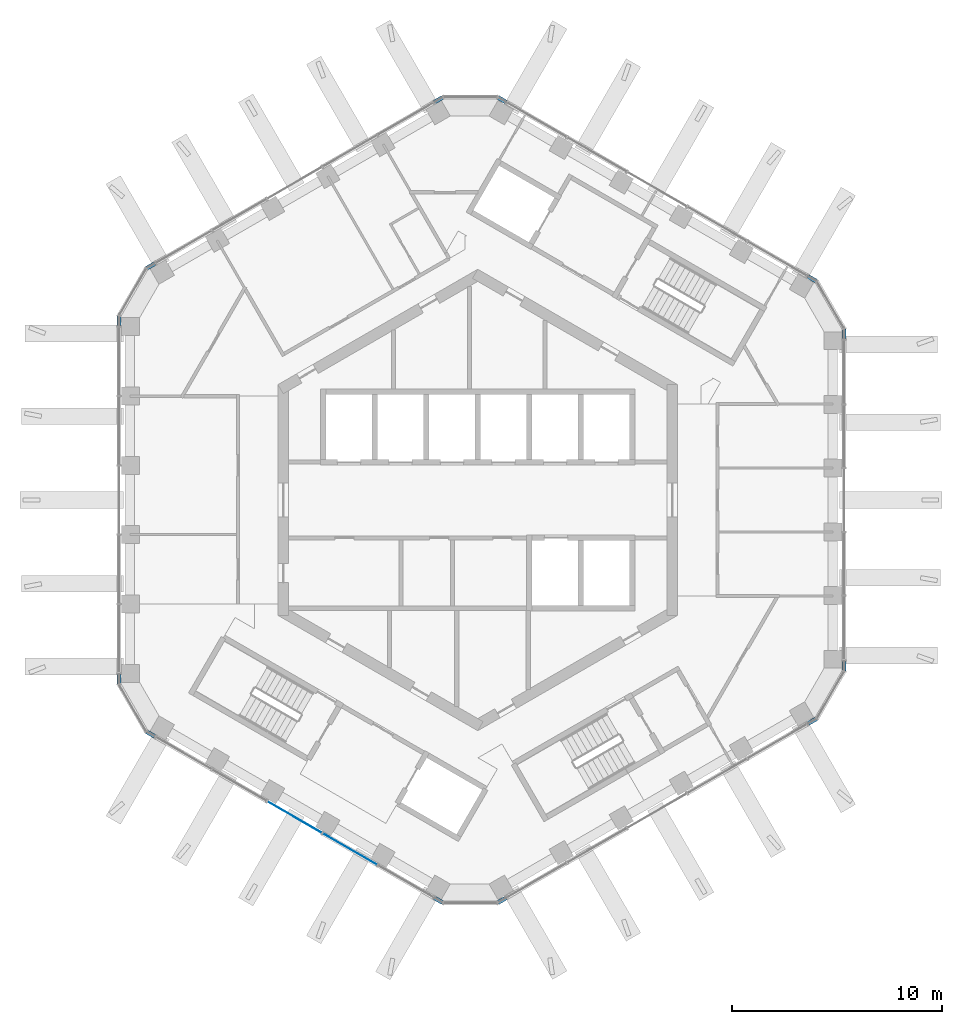
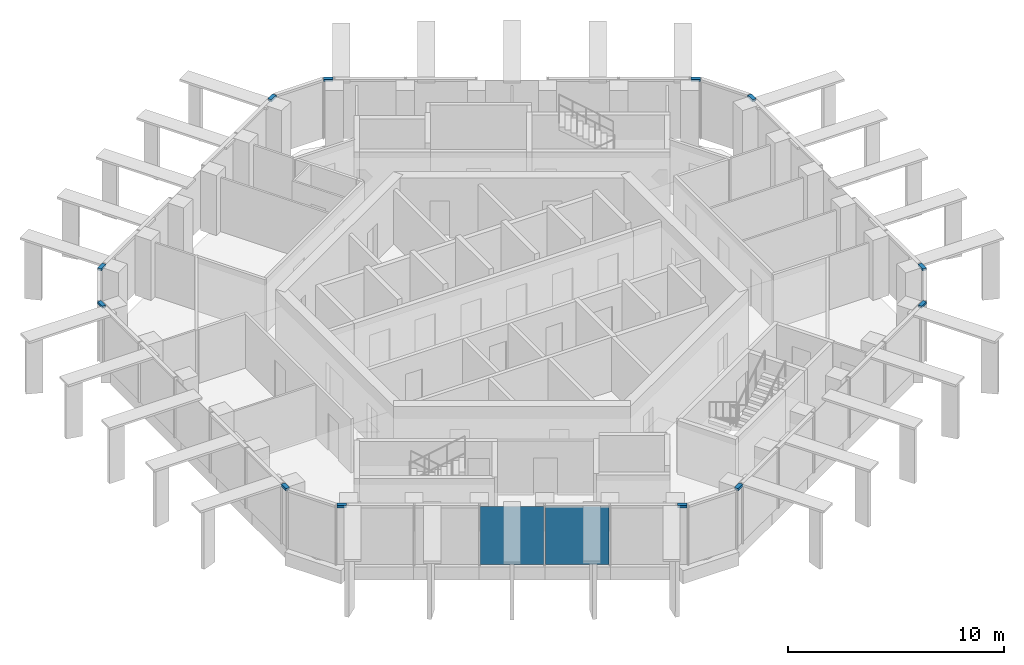
# One storey, part 6 of 18: 12 members, 2 plates, 7 elements without a shape of their own.
"""IFC4 building model written with IfcOpenShell, lengths in metres."""

from ifc_helpers import new_model, si_unit, direction, frame, origin, origin_2d, place, context, subcontext, project, spatial, rectangle, extrude, material, layer, layer_set, material_profile, profile_set, type_object, element, aggregate, save


model = new_model("IFC4")

# Units and contexts
model_context = context("Model", 3, precision=1e-05, world=origin(), true_north=direction((0.0, 1.0)))
body_context = subcontext(model_context, "Body", "Model", "MODEL_VIEW")
ifc_project = project(units=[si_unit("LENGTHUNIT", "METRE"), si_unit("AREAUNIT", "SQUARE_METRE"), si_unit("VOLUMEUNIT", "CUBIC_METRE"), si_unit("PLANEANGLEUNIT", "RADIAN"), si_unit("MASSUNIT", "GRAM", prefix="KILO")], contexts=[model_context])

# Site, building, storey
site_placement = place(None, origin())
site = spatial("IfcSite", under=ifc_project, at=site_placement, CompositionType="ELEMENT")
building_placement = place(site_placement, origin())
building = spatial("IfcBuilding", under=site, at=building_placement, Name="Ayvan Gate Tower", CompositionType="ELEMENT")
storey_placement = place(building_placement, frame((0.0, 0.0, 239.300048828125)))
storey = spatial("IfcBuildingStorey", under=building, at=storey_placement, Name="L64", CompositionType="ELEMENT", Elevation=239.300048828125)

# Curtain wall, members
ifc_material_1 = material(Name="Bronze anodised aluminium", Category="aluminium")
ifc_layer_1 = layer(ifc_material_1, 0.199951171875)
ifc_layer_set_1 = layer_set([ifc_layer_1], Name="Bronze anodised aluminium")
curtain_wall_type_1 = type_object("IfcCurtainWallType", Name="Stick curtain wall CW-6", PredefinedType="NOTDEFINED", material=ifc_layer_set_1)
curtain_wall_1_placement = place(storey_placement, origin())
curtain_wall_1 = element("IfcCurtainWall", 1, at=curtain_wall_1_placement, inside=storey, type_object=curtain_wall_type_1, Name="Stick curtain wall CW-6 L64", PredefinedType="NOTDEFINED")
ifc_material_profile = material_profile(ifc_material_1, rectangle(XDim=0.199951171875, YDim=0.1201171875, at=origin_2d()), Name="Stick curtain wall CW-6 transom 200 x 120")
ifc_profile_set = profile_set([ifc_material_profile], Name="Bronze anodised aluminium")
member_type = type_object("IfcMemberType", Name="Stick curtain wall CW-6 transom 200 x 120", PredefinedType="USERDEFINED", material=ifc_profile_set)
member_1_placement = place(storey_placement, frame((-15.353759765625, 11.24169921875, 3.33984375), z_axis=(-0.865896406789, -0.500223362819, 0.0), x_axis=(0.500223362819, -0.865896406789, 0.0)))
member_1 = element("IfcMember", 2, at=member_1_placement, type_object=member_type, Name="CW-6 transom 1", ObjectType="TRANSOM", PredefinedType="USERDEFINED", context=body_context, shape_type="SweptSolid", body=[
    extrude(rectangle(XDim=0.199951171875, YDim=0.1201171875, at=origin_2d()), origin(), (0.0, 0.0, 1.0), 0.449951171875),
])
member_2_placement = place(storey_placement, frame((-17.056396484375, 8.74267578125, 3.33984375), z_axis=(0.0, -1.0, 0.0), x_axis=(1.0, 0.0, 0.0)))
member_2 = element("IfcMember", 3, at=member_2_placement, type_object=member_type, Name="CW-6 transom 3", ObjectType="TRANSOM", PredefinedType="USERDEFINED", context=body_context, shape_type="SweptSolid", body=[
    extrude(rectangle(XDim=0.199951171875, YDim=0.1201171875, at=origin_2d()), origin(), (0.0, 0.0, 1.0), 0.449951171875),
])
aggregate(curtain_wall_1, [member_1, member_2])

curtain_wall_2_placement = place(storey_placement, origin())
curtain_wall_2 = element("IfcCurtainWall", 4, at=curtain_wall_2_placement, inside=storey, type_object=curtain_wall_type_1, Name="Stick curtain wall CW-6 L64", PredefinedType="NOTDEFINED")
member_3_placement = place(storey_placement, frame((-17.056396484375, -8.292724609375, 3.33984375), z_axis=(0.0, -1.0, 0.0), x_axis=(1.0, 0.0, 0.0)))
member_3 = element("IfcMember", 5, at=member_3_placement, type_object=member_type, Name="CW-6 transom 1", ObjectType="TRANSOM", PredefinedType="USERDEFINED", context=body_context, shape_type="SweptSolid", body=[
    extrude(rectangle(XDim=0.199951171875, YDim=0.1201171875, at=origin_2d()), origin(), (0.0, 0.0, 1.0), 0.449951171875),
])
member_4_placement = place(storey_placement, frame((-15.743408203125, -11.0166015625, 3.33984375), z_axis=(0.865896406789, -0.500223362819, 0.0), x_axis=(0.500223362819, 0.865896406789, 0.0)))
member_4 = element("IfcMember", 6, at=member_4_placement, type_object=member_type, Name="CW-6 transom 3", ObjectType="TRANSOM", PredefinedType="USERDEFINED", context=body_context, shape_type="SweptSolid", body=[
    extrude(rectangle(XDim=0.199951171875, YDim=0.1201171875, at=origin_2d()), origin(), (0.0, 0.0, 1.0), 0.449951171875),
])
aggregate(curtain_wall_2, [member_3, member_4])

curtain_wall_3_placement = place(storey_placement, origin())
curtain_wall_3 = element("IfcCurtainWall", 7, at=curtain_wall_3_placement, inside=storey, type_object=curtain_wall_type_1, Name="Stick curtain wall CW-6 L64", PredefinedType="NOTDEFINED")
member_5_placement = place(storey_placement, frame((-2.058837890625, -18.917724609375, 3.33984375), z_axis=(0.866266849364, -0.49958157061, 0.0), x_axis=(0.49958157061, 0.866266849364, 0.0)))
member_5 = element("IfcMember", 8, at=member_5_placement, type_object=member_type, Name="CW-6 transom 1", ObjectType="TRANSOM", PredefinedType="USERDEFINED", context=body_context, shape_type="SweptSolid", body=[
    extrude(rectangle(XDim=0.199951171875, YDim=0.1201171875, at=origin_2d()), origin(), (0.0, 0.0, 1.0), 0.4501953125),
])
member_6_placement = place(storey_placement, frame((0.956787109375, -19.142578125, 3.33984375), z_axis=(0.866266849364, 0.49958157061, 0.0), x_axis=(-0.49958157061, 0.866266849364, 0.0)))
member_6 = element("IfcMember", 9, at=member_6_placement, type_object=member_type, Name="CW-6 transom 3", ObjectType="TRANSOM", PredefinedType="USERDEFINED", context=body_context, shape_type="SweptSolid", body=[
    extrude(rectangle(XDim=0.199951171875, YDim=0.1201171875, at=origin_2d()), origin(), (0.0, 0.0, 1.0), 0.4501953125),
])
aggregate(curtain_wall_3, [member_5, member_6])

curtain_wall_4_placement = place(storey_placement, origin())
curtain_wall_4 = element("IfcCurtainWall", 10, at=curtain_wall_4_placement, inside=storey, type_object=curtain_wall_type_1, Name="Stick curtain wall CW-6 L64", PredefinedType="NOTDEFINED")
member_7_placement = place(storey_placement, frame((15.7099609375, -10.625, 3.33984375), z_axis=(0.865896406789, 0.500223362819, 0.0), x_axis=(-0.500223362819, 0.865896406789, 0.0)))
member_7 = element("IfcMember", 11, at=member_7_placement, type_object=member_type, Name="CW-6 transom 1", ObjectType="TRANSOM", PredefinedType="USERDEFINED", context=body_context, shape_type="SweptSolid", body=[
    extrude(rectangle(XDim=0.199951171875, YDim=0.1201171875, at=origin_2d()), origin(), (0.0, 0.0, 1.0), 0.449951171875),
])
member_8_placement = place(storey_placement, frame((17.41259765625, -8.1259765625, 3.33984375), z_axis=(0.0, 1.0, 0.0), x_axis=(-1.0, 0.0, 0.0)))
member_8 = element("IfcMember", 12, at=member_8_placement, type_object=member_type, Name="CW-6 transom 3", ObjectType="TRANSOM", PredefinedType="USERDEFINED", context=body_context, shape_type="SweptSolid", body=[
    extrude(rectangle(XDim=0.199951171875, YDim=0.1201171875, at=origin_2d()), origin(), (0.0, 0.0, 1.0), 0.4501953125),
])
aggregate(curtain_wall_4, [member_7, member_8])

curtain_wall_5_placement = place(storey_placement, origin())
curtain_wall_5 = element("IfcCurtainWall", 13, at=curtain_wall_5_placement, inside=storey, type_object=curtain_wall_type_1, Name="Stick curtain wall CW-6 L64", PredefinedType="NOTDEFINED")
member_9_placement = place(storey_placement, frame((17.41259765625, 7.67578125, 3.33984375), z_axis=(0.0, 1.0, 0.0), x_axis=(-1.0, 0.0, 0.0)))
member_9 = element("IfcMember", 14, at=member_9_placement, type_object=member_type, Name="CW-6 transom 1", ObjectType="TRANSOM", PredefinedType="USERDEFINED", context=body_context, shape_type="SweptSolid", body=[
    extrude(rectangle(XDim=0.199951171875, YDim=0.1201171875, at=origin_2d()), origin(), (0.0, 0.0, 1.0), 0.4501953125),
])
member_10_placement = place(storey_placement, frame((16.099609375, 10.39990234375, 3.33984375), z_axis=(-0.865896406789, 0.500223362819, 0.0), x_axis=(-0.500223362819, -0.865896406789, 0.0)))
member_10 = element("IfcMember", 15, at=member_10_placement, type_object=member_type, Name="CW-6 transom 3", ObjectType="TRANSOM", PredefinedType="USERDEFINED", context=body_context, shape_type="SweptSolid", body=[
    extrude(rectangle(XDim=0.199951171875, YDim=0.1201171875, at=origin_2d()), origin(), (0.0, 0.0, 1.0), 0.449951171875),
])
aggregate(curtain_wall_5, [member_9, member_10])

curtain_wall_6_placement = place(storey_placement, origin())
curtain_wall_6 = element("IfcCurtainWall", 16, at=curtain_wall_6_placement, inside=storey, type_object=curtain_wall_type_1, Name="Stick curtain wall CW-6 L64", PredefinedType="NOTDEFINED")
member_11_placement = place(storey_placement, frame((1.3466796875, 18.917724609375, 3.33984375), z_axis=(-0.866266849364, 0.49958157061, 0.0), x_axis=(-0.49958157061, -0.866266849364, 0.0)))
member_11 = element("IfcMember", 17, at=member_11_placement, type_object=member_type, Name="CW-6 transom 1", ObjectType="TRANSOM", PredefinedType="USERDEFINED", context=body_context, shape_type="SweptSolid", body=[
    extrude(rectangle(XDim=0.199951171875, YDim=0.1201171875, at=origin_2d()), origin(), (0.0, 0.0, 1.0), 0.4501953125),
])
member_12_placement = place(storey_placement, frame((-1.6689453125, 19.142578125, 3.33984375), z_axis=(-0.866266849364, -0.49958157061, 0.0), x_axis=(0.49958157061, -0.866266849364, 0.0)))
member_12 = element("IfcMember", 18, at=member_12_placement, type_object=member_type, Name="CW-6 transom 3", ObjectType="TRANSOM", PredefinedType="USERDEFINED", context=body_context, shape_type="SweptSolid", body=[
    extrude(rectangle(XDim=0.199951171875, YDim=0.1201171875, at=origin_2d()), origin(), (0.0, 0.0, 1.0), 0.4501953125),
])
aggregate(curtain_wall_6, [member_11, member_12])

# Curtain wall, plates
ifc_layer_2 = layer(ifc_material_1, 0.199951171875)
ifc_layer_set_2 = layer_set([ifc_layer_2], Name="Bronze anodised aluminium")
curtain_wall_type_2 = type_object("IfcCurtainWallType", Name="Stick curtain wall CW-2", PredefinedType="NOTDEFINED", material=ifc_layer_set_2)
curtain_wall_7_placement = place(storey_placement, origin())
curtain_wall_7 = element("IfcCurtainWall", 19, at=curtain_wall_7_placement, inside=storey, type_object=curtain_wall_type_2, Name="Stick curtain wall CW-2 L64", PredefinedType="NOTDEFINED")
ifc_material_2 = material(Name="Clear low-iron laminated glass", Category="glass")
ifc_layer_3 = layer(ifc_material_2, 0.028076171875)
ifc_layer_set_3 = layer_set([ifc_layer_3], Name="Clear low-iron laminated glass")
plate_type = type_object("IfcPlateType", Name="Stick curtain wall CW-2 glass panel", PredefinedType="CURTAIN_PANEL", material=ifc_layer_set_3)
plate_1_placement = place(storey_placement, frame((-8.70654296875, -15.079345703125, 0.0), z_axis=(0.0, 0.0, 1.0), x_axis=(0.866025403784, -0.5, 0.0)))
plate_1 = element("IfcPlate", 20, at=plate_1_placement, type_object=plate_type, Name="CW-2 glass panel 3", PredefinedType="CURTAIN_PANEL", context=body_context, shape_type="SweptSolid", body=[
    extrude(rectangle(XDim=2.958984375, YDim=0.028076171875, at=origin_2d()), origin(), (0.0, 0.0, 1.0), 3.280029296875),
])
plate_2_placement = place(storey_placement, frame((-6.08349609375, -16.593994140625, 0.0), z_axis=(0.0, 0.0, 1.0), x_axis=(0.866025403784, -0.5, 0.0)))
plate_2 = element("IfcPlate", 21, at=plate_2_placement, type_object=plate_type, Name="CW-2 glass panel 4", PredefinedType="CURTAIN_PANEL", context=body_context, shape_type="SweptSolid", body=[
    extrude(rectangle(XDim=2.958984375, YDim=0.028076171875, at=origin_2d()), origin(), (0.0, 0.0, 1.0), 3.280029296875),
])
aggregate(curtain_wall_7, [plate_1, plate_2])

save(model, "model.ifc")
